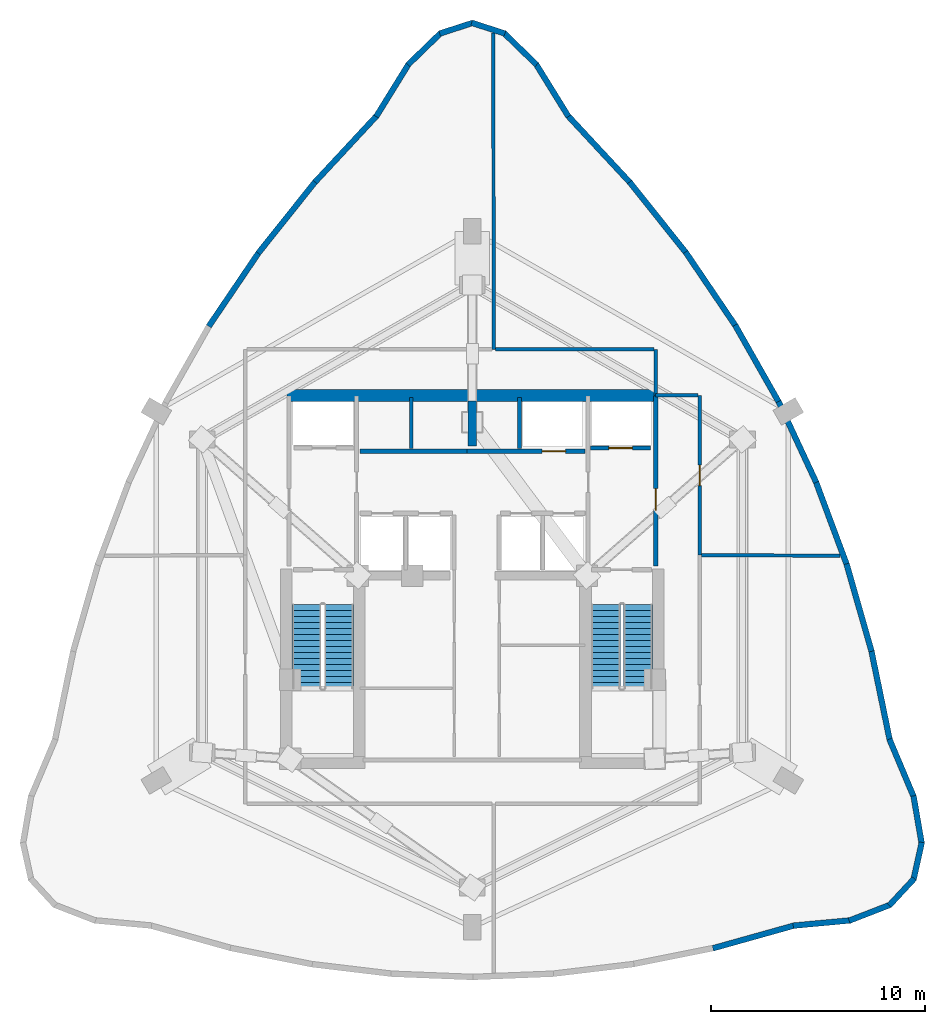
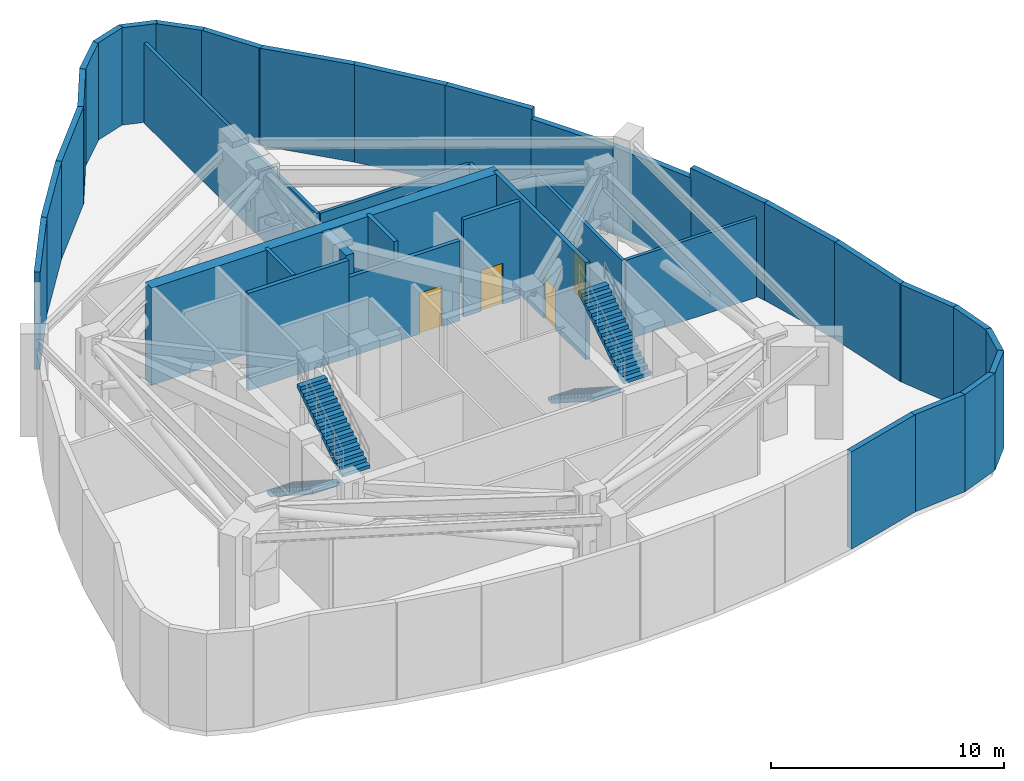
# One storey, part 4 of 5: 38 walls, 4 doors, 4 stair flights, 4 openings, 2 elements without a shape of their own.
"""IFC4 building model written with IfcOpenShell, lengths in metres."""

from ifc_helpers import new_model, si_unit, direction, frame, frame_2d, origin, place, context, subcontext, project, spatial, polyline, rectangle, outline, extrude, material, layer, layer_set, type_object, element, fill, aggregate, save


model = new_model("IFC4")

# Units and contexts
model_context = context("Model", 3, precision=1e-05, world=origin(), true_north=direction((0.0, 1.0)))
body_context = subcontext(model_context, "Body", "Model", "MODEL_VIEW")
ifc_project = project(units=[si_unit("LENGTHUNIT", "METRE"), si_unit("AREAUNIT", "SQUARE_METRE"), si_unit("VOLUMEUNIT", "CUBIC_METRE"), si_unit("PLANEANGLEUNIT", "RADIAN"), si_unit("MASSUNIT", "GRAM", prefix="KILO")], contexts=[model_context])

# Site, building, storey
site_placement = place(None, origin())
site = spatial("IfcSite", under=ifc_project, at=site_placement, CompositionType="ELEMENT")
building_placement = place(site_placement, origin())
building = spatial("IfcBuilding", under=site, at=building_placement, Name="Miruveldt Soraemaru", CompositionType="ELEMENT")
storey_placement = place(building_placement, frame((0.0, 0.0, 184.39990234375)))
storey = spatial("IfcBuildingStorey", under=building, at=storey_placement, Name="L51", CompositionType="ELEMENT", Elevation=184.39990234375)

# Walls
ifc_material_1 = material(Name="Concrete C70/85 (70 MPa)", Category="concrete")
ifc_layer_1 = layer(ifc_material_1, 0.5, Name="Concrete C70/85 (70 MPa)", Category="concrete")
ifc_layer_set_1 = layer_set([ifc_layer_1], Name="Concrete C70/85 (70 MPa)")
wall_type_1 = type_object("IfcWallType", Name="WALL-BW-500", PredefinedType="SHEAR", material=ifc_layer_set_1)
wall_1_placement = place(storey_placement, frame((44.0, 50.10009765625, 0.0), z_axis=(0.0, 0.0, 1.0), x_axis=(0.0, 1.0, 0.0)))
element("IfcWall", 1, at=wall_1_placement, inside=storey, type_object=wall_type_1, Name="L51 Core Buttress Shear Wall BN", PredefinedType="SHEAR", context=body_context, shape_type="SweptSolid", body=[
    extrude(rectangle(XDim=2.099853515625, YDim=0.39990234375, at=frame_2d((1.0498046875, 0.0))), origin(), (0.0, 0.0, 1.0), 5.10009765625),
])
ifc_layer_2 = layer(ifc_material_1, 0.550048828125, Name="Concrete C70/85 (70 MPa)", Category="concrete")
ifc_layer_set_2 = layer_set([ifc_layer_2], Name="Concrete C70/85 (70 MPa)")
wall_type_2 = type_object("IfcWallType", Name="WALL-CW-550", PredefinedType="SHEAR", material=ifc_layer_set_2)
wall_2_placement = place(storey_placement, frame((35.35009765625, 52.449951171875, 0.0), z_axis=(0.0, 0.0, 1.0), x_axis=(1.0, 0.0, 0.0)))
element("IfcWall", 2, at=wall_2_placement, inside=storey, type_object=wall_type_2, Name="L51 Central Core Shear Wall N", PredefinedType="SHEAR", context=body_context, shape_type="SweptSolid", body=[
    extrude(rectangle(XDim=17.2998046875, YDim=0.550048828125, at=frame_2d((8.64990234375, 0.0))), origin(), (0.0, 0.0, 1.0), 5.10009765625),
])
ifc_material_2 = material(Name="Precast concrete C45/55 (45 MPa)", Category="concrete")
ifc_layer_3 = layer(ifc_material_2, 0.27001953125, Name="Precast concrete C45/55 (45 MPa)", Category="concrete")
ifc_layer_set_3 = layer_set([ifc_layer_3], Name="Precast concrete C45/55 (45 MPa)")
wall_type_3 = type_object("IfcWallType", Name="WALL-EXT-PC270", PredefinedType="SOLIDWALL", material=ifc_layer_set_3)
wall_3_placement = place(storey_placement, frame((48.48486328125, 65.4609375, 0.0), z_axis=(0.0, 0.0, 1.0), x_axis=(-0.526073462403, 0.850439129012, 0.0)))
element("IfcWall", 3, at=wall_3_placement, inside=storey, type_object=wall_type_3, Name="L51 Precast Concrete Facade Wall 1", PredefinedType="SOLIDWALL", context=body_context, shape_type="SweptSolid", body=[
    extrude(rectangle(XDim=2.900146484375, YDim=0.27001953125, at=frame_2d((1.4501953125, 0.0))), origin(), (0.0, 0.0, 1.0), 5.10009765625),
])
wall_4_placement = place(storey_placement, frame((47.002685546875, 67.873046875, 0.0), z_axis=(0.0, 0.0, 1.0), x_axis=(-0.717784851278, 0.696264969157, 0.0)))
element("IfcWall", 4, at=wall_4_placement, inside=storey, type_object=wall_type_3, Name="L51 Precast Concrete Facade Wall 2", PredefinedType="SOLIDWALL", context=body_context, shape_type="SweptSolid", body=[
    extrude(rectangle(XDim=2.144287109375, YDim=0.27001953125, at=frame_2d((1.072265625, 0.0))), origin(), (0.0, 0.0, 1.0), 5.10009765625),
])
for number, where, z_axis, x_axis, name in (
    (5, (45.522216796875, 69.330810546875, 0.0), (0.0, 0.0, 1.0), (-0.951497250106, 0.307657249289, 0.0), "L51 Precast Concrete Facade Wall 3"),
    (6, (44.033203125, 69.833740234375, 0.0), (0.0, 0.0, 1.0), (-0.951497250106, -0.307657249289, 0.0), "L51 Precast Concrete Facade Wall 4"),
):
    element("IfcWall", number, at=place(storey_placement, frame(where, z_axis=z_axis, x_axis=x_axis)), inside=storey, type_object=wall_type_3, Name=name, PredefinedType="SOLIDWALL", context=body_context, shape_type="SweptSolid", body=[
        extrude(rectangle(XDim=1.634765625, YDim=0.27001953125, at=frame_2d((0.8173828125, 0.0))), origin(), (0.0, 0.0, 1.0), 5.10009765625),
    ])
wall_5_placement = place(storey_placement, frame((42.536376953125, 69.365966796875, 0.0), z_axis=(0.0, 0.0, 1.0), x_axis=(-0.717784851278, -0.696264969157, 0.0)))
element("IfcWall", 7, at=wall_5_placement, inside=storey, type_object=wall_type_3, Name="L51 Precast Concrete Facade Wall 5", PredefinedType="SOLIDWALL", context=body_context, shape_type="SweptSolid", body=[
    extrude(rectangle(XDim=2.144287109375, YDim=0.27001953125, at=frame_2d((1.072265625, 0.0))), origin(), (0.0, 0.0, 1.0), 5.10009765625),
])
wall_6_placement = place(storey_placement, frame((41.040771484375, 67.92724609375, 0.0), z_axis=(0.0, 0.0, 1.0), x_axis=(-0.526073462403, -0.850439129012, 0.0)))
element("IfcWall", 8, at=wall_6_placement, inside=storey, type_object=wall_type_3, Name="L51 Precast Concrete Facade Wall 6", PredefinedType="SOLIDWALL", context=body_context, shape_type="SweptSolid", body=[
    extrude(rectangle(XDim=2.900146484375, YDim=0.27001953125, at=frame_2d((1.4501953125, 0.0))), origin(), (0.0, 0.0, 1.0), 5.10009765625),
])
wall_7_placement = place(storey_placement, frame((39.557373046875, 65.516357421875, 0.0), z_axis=(0.0, 0.0, 1.0), x_axis=(-0.68089748503, -0.732378737321, 0.0)))
element("IfcWall", 9, at=wall_7_placement, inside=storey, type_object=wall_type_3, Name="L51 Precast Concrete Facade Wall 7", PredefinedType="SOLIDWALL", context=body_context, shape_type="SweptSolid", body=[
    extrude(rectangle(XDim=4.3203125, YDim=0.27001953125, at=frame_2d((2.16015625, 0.0))), origin(), (0.0, 0.0, 1.0), 5.10009765625),
])
wall_8_placement = place(storey_placement, frame((36.661376953125, 62.4052734375, 0.0), z_axis=(0.0, 0.0, 1.0), x_axis=(-0.623600005041, -0.781743585655, 0.0)))
element("IfcWall", 10, at=wall_8_placement, inside=storey, type_object=wall_type_3, Name="L51 Precast Concrete Facade Wall 8", PredefinedType="SOLIDWALL", context=body_context, shape_type="SweptSolid", body=[
    extrude(rectangle(XDim=4.243896484375, YDim=0.27001953125, at=frame_2d((2.1220703125, 0.0))), origin(), (0.0, 0.0, 1.0), 5.10009765625),
])
wall_9_placement = place(storey_placement, frame((34.056396484375, 59.14404296875, 0.0), z_axis=(0.0, 0.0, 1.0), x_axis=(-0.560853295684, -0.827915201406, 0.0)))
element("IfcWall", 11, at=wall_9_placement, inside=storey, type_object=wall_type_3, Name="L51 Precast Concrete Facade Wall 9", PredefinedType="SOLIDWALL", context=body_context, shape_type="SweptSolid", body=[
    extrude(rectangle(XDim=4.1923828125, YDim=0.27001953125, at=frame_2d((2.09619140625, 0.0))), origin(), (0.0, 0.0, 1.0), 5.10009765625),
])
wall_10_placement = place(storey_placement, frame((55.218505859375, 26.662841796875, 0.0), z_axis=(0.0, 0.0, 1.0), x_axis=(0.962978726961, 0.26957739412, 0.0)))
element("IfcWall", 12, at=wall_10_placement, inside=storey, type_object=wall_type_3, Name="L51 Precast Concrete Facade Wall 28", PredefinedType="SOLIDWALL", context=body_context, shape_type="SweptSolid", body=[
    extrude(rectangle(XDim=3.96484375, YDim=0.27001953125, at=frame_2d((1.982421875, 0.0))), origin(), (0.0, 0.0, 1.0), 5.10009765625),
])
wall_11_placement = place(storey_placement, frame((58.968017578125, 27.71923828125, 0.0), z_axis=(0.0, 0.0, 1.0), x_axis=(0.995762583404, 0.09196128257, 0.0)))
element("IfcWall", 13, at=wall_11_placement, inside=storey, type_object=wall_type_3, Name="L51 Precast Concrete Facade Wall 29", PredefinedType="SOLIDWALL", context=body_context, shape_type="SweptSolid", body=[
    extrude(rectangle(XDim=2.686767578125, YDim=0.27001953125, at=frame_2d((1.34326171875, 0.0))), origin(), (0.0, 0.0, 1.0), 5.10009765625),
])
wall_12_placement = place(storey_placement, frame((61.57568359375, 27.950439453125, 0.0), z_axis=(0.0, 0.0, 1.0), x_axis=(0.93229707956, 0.361693455074, 0.0)))
element("IfcWall", 14, at=wall_12_placement, inside=storey, type_object=wall_type_3, Name="L51 Precast Concrete Facade Wall 30", PredefinedType="SOLIDWALL", context=body_context, shape_type="SweptSolid", body=[
    extrude(rectangle(XDim=2.066162109375, YDim=0.27001953125, at=frame_2d((1.033203125, 0.0))), origin(), (0.0, 0.0, 1.0), 5.10009765625),
])
wall_13_placement = place(storey_placement, frame((63.445556640625, 28.659423828125, 0.0), z_axis=(0.0, 0.0, 1.0), x_axis=(0.680078990902, 0.733138845058, 0.0)))
element("IfcWall", 15, at=wall_13_placement, inside=storey, type_object=wall_type_3, Name="L51 Precast Concrete Facade Wall 31", PredefinedType="SOLIDWALL", context=body_context, shape_type="SweptSolid", body=[
    extrude(rectangle(XDim=1.711669921875, YDim=0.27001953125, at=frame_2d((0.85595703125, 0.0))), origin(), (0.0, 0.0, 1.0), 5.10009765625),
])
wall_14_placement = place(storey_placement, frame((64.578125, 29.854248046875, 0.0), z_axis=(0.0, 0.0, 1.0), x_axis=(0.215792916571, 0.976439151795, 0.0)))
element("IfcWall", 16, at=wall_14_placement, inside=storey, type_object=wall_type_3, Name="L51 Precast Concrete Facade Wall 32", PredefinedType="SOLIDWALL", context=body_context, shape_type="SweptSolid", body=[
    extrude(rectangle(XDim=1.79541015625, YDim=0.27001953125, at=frame_2d((0.897705078125, 0.0))), origin(), (0.0, 0.0, 1.0), 5.10009765625),
])
wall_15_placement = place(storey_placement, frame((64.9638671875, 31.538818359375, 0.0), z_axis=(0.0, 0.0, 1.0), x_axis=(-0.169355267958, 0.985555068586, 0.0)))
element("IfcWall", 17, at=wall_15_placement, inside=storey, type_object=wall_type_3, Name="L51 Precast Concrete Facade Wall 33", PredefinedType="SOLIDWALL", context=body_context, shape_type="SweptSolid", body=[
    extrude(rectangle(XDim=2.267578125, YDim=0.27001953125, at=frame_2d((1.1337890625, 0.0))), origin(), (0.0, 0.0, 1.0), 5.10009765625),
])
wall_16_placement = place(storey_placement, frame((64.599365234375, 33.70703125, 0.0), z_axis=(0.0, 0.0, 1.0), x_axis=(-0.388546458819, 0.921429134193, 0.0)))
element("IfcWall", 18, at=wall_16_placement, inside=storey, type_object=wall_type_3, Name="L51 Precast Concrete Facade Wall 34", PredefinedType="SOLIDWALL", context=body_context, shape_type="SweptSolid", body=[
    extrude(rectangle(XDim=2.943115234375, YDim=0.27001953125, at=frame_2d((1.4716796875, 0.0))), origin(), (0.0, 0.0, 1.0), 5.10009765625),
])
wall_17_placement = place(storey_placement, frame((63.476318359375, 36.3525390625, 0.0), z_axis=(0.0, 0.0, 1.0), x_axis=(-0.201568414005, 0.979474437888, 0.0)))
element("IfcWall", 19, at=wall_17_placement, inside=storey, type_object=wall_type_3, Name="L51 Precast Concrete Facade Wall 35", PredefinedType="SOLIDWALL", context=body_context, shape_type="SweptSolid", body=[
    extrude(rectangle(XDim=4.3203125, YDim=0.27001953125, at=frame_2d((2.16015625, 0.0))), origin(), (0.0, 0.0, 1.0), 5.10009765625),
])
wall_18_placement = place(storey_placement, frame((62.6220703125, 40.51611328125, 0.0), z_axis=(0.0, 0.0, 1.0), x_axis=(-0.274964238992, 0.961454454083, 0.0)))
element("IfcWall", 20, at=wall_18_placement, inside=storey, type_object=wall_type_3, Name="L51 Precast Concrete Facade Wall 36", PredefinedType="SOLIDWALL", context=body_context, shape_type="SweptSolid", body=[
    extrude(rectangle(XDim=4.244140625, YDim=0.27001953125, at=frame_2d((2.1220703125, 0.0))), origin(), (0.0, 0.0, 1.0), 5.10009765625),
])
wall_19_placement = place(storey_placement, frame((61.47705078125, 44.5302734375, 0.0), z_axis=(0.0, 0.0, 1.0), x_axis=(-0.349022784807, 0.937114238333, 0.0)))
element("IfcWall", 21, at=wall_19_placement, inside=storey, type_object=wall_type_3, Name="L51 Precast Concrete Facade Wall 37", PredefinedType="SOLIDWALL", context=body_context, shape_type="SweptSolid", body=[
    extrude(rectangle(XDim=4.192138671875, YDim=0.27001953125, at=frame_2d((2.09619140625, 0.0))), origin(), (0.0, 0.0, 1.0), 5.10009765625),
])
wall_20_placement = place(storey_placement, frame((60.040771484375, 48.394287109375, 0.0), z_axis=(0.0, 0.0, 1.0), x_axis=(-0.422336806268, 0.906438978681, 0.0)))
element("IfcWall", 22, at=wall_20_placement, inside=storey, type_object=wall_type_3, Name="L51 Precast Concrete Facade Wall 38", PredefinedType="SOLIDWALL", context=body_context, shape_type="SweptSolid", body=[
    extrude(rectangle(XDim=4.166259765625, YDim=0.27001953125, at=frame_2d((2.0830078125, 0.0))), origin(), (0.0, 0.0, 1.0), 4.588134765625),
])
wall_21_placement = place(storey_placement, frame((58.3134765625, 52.108642578125, 0.0), z_axis=(0.0, 0.0, 1.0), x_axis=(-0.49336591454, 0.869821863585, 0.0)))
element("IfcWall", 23, at=wall_21_placement, inside=storey, type_object=wall_type_3, Name="L51 Precast Concrete Facade Wall 39", PredefinedType="SOLIDWALL", context=body_context, shape_type="SweptSolid", body=[
    extrude(rectangle(XDim=4.166015625, YDim=0.27001953125, at=frame_2d((2.0830078125, 0.0))), origin(), (0.0, 0.0, 1.0), 4.588134765625),
])
wall_22_placement = place(storey_placement, frame((56.294921875, 55.673095703125, 0.0), z_axis=(0.0, 0.0, 1.0), x_axis=(-0.560853295684, 0.827915201406, 0.0)))
element("IfcWall", 24, at=wall_22_placement, inside=storey, type_object=wall_type_3, Name="L51 Precast Concrete Facade Wall 40", PredefinedType="SOLIDWALL", context=body_context, shape_type="SweptSolid", body=[
    extrude(rectangle(XDim=4.1923828125, YDim=0.27001953125, at=frame_2d((2.09619140625, 0.0))), origin(), (0.0, 0.0, 1.0), 5.10009765625),
])
wall_23_placement = place(storey_placement, frame((53.985107421875, 59.087646484375, 0.0), z_axis=(0.0, 0.0, 1.0), x_axis=(-0.623600005041, 0.781743585655, 0.0)))
element("IfcWall", 25, at=wall_23_placement, inside=storey, type_object=wall_type_3, Name="L51 Precast Concrete Facade Wall 41", PredefinedType="SOLIDWALL", context=body_context, shape_type="SweptSolid", body=[
    extrude(rectangle(XDim=4.243896484375, YDim=0.27001953125, at=frame_2d((2.1220703125, 0.0))), origin(), (0.0, 0.0, 1.0), 5.10009765625),
])
wall_24_placement = place(storey_placement, frame((51.38427734375, 62.352294921875, 0.0), z_axis=(0.0, 0.0, 1.0), x_axis=(-0.68089748503, 0.732378737321, 0.0)))
element("IfcWall", 26, at=wall_24_placement, inside=storey, type_object=wall_type_3, Name="L51 Precast Concrete Facade Wall 42", PredefinedType="SOLIDWALL", context=body_context, shape_type="SweptSolid", body=[
    extrude(rectangle(XDim=4.3203125, YDim=0.27001953125, at=frame_2d((2.16015625, 0.0))), origin(), (0.0, 0.0, 1.0), 5.10009765625),
])

# Wall, opening, door
ifc_material_3 = material(Name="Concrete C40/50 (40 MPa)", Category="concrete")
ifc_layer_4 = layer(ifc_material_3, 0.159912109375, Name="Concrete C40/50 (40 MPa)", Category="concrete")
ifc_layer_set_4 = layer_set([ifc_layer_4], Name="Concrete C40/50 (40 MPa)")
wall_type_4 = type_object("IfcWallType", Name="WALL-INT-RC160", PredefinedType="SOLIDWALL", material=ifc_layer_set_4)
wall_25_placement = place(storey_placement, frame((54.60009765625, 45.0, 0.0), z_axis=(0.0, 0.0, 1.0), x_axis=(0.0, 1.0, 0.0)))
wall_25 = element("IfcWall", 27, at=wall_25_placement, inside=storey, type_object=wall_type_4, Name="L51 Partition Wall 7", PredefinedType="SOLIDWALL", context=body_context, shape_type="SweptSolid", body=[
    extrude(rectangle(XDim=7.449951171875, YDim=0.159912109375, at=frame_2d((3.72509765625, 0.0))), origin(), (0.0, 0.0, 1.0), 4.18798828125),
])
opening_1_placement = place(wall_25_placement, frame((3.25, 0.0, 0.0)))
opening_1 = element("IfcOpeningElement", 28, at=opening_1_placement, cuts=wall_25, Name="Opening FD2", PredefinedType="OPENING", context=body_context, shape_type="SweptSolid", body=[
    extrude(rectangle(XDim=0.949951171875, YDim=2.14990234375, at=frame_2d((0.47509765625, 1.074951171875))), frame((0.0, 0.08984375, 0.0), z_axis=(0.0, -1.0, 0.0), x_axis=(1.0, 0.0, 0.0)), (0.0, 0.0, 1.0), 0.179931640625),
])
ifc_material_4 = material(Name="Anodised aluminium EN AW-6063 T6", Category="aluminium")
door_type_1 = type_object("IfcDoorType", Name="DOOR-FD2-950", OperationType="NOTDEFINED", PredefinedType="DOOR", material=ifc_material_4)
door_1_placement = place(opening_1_placement, origin())
door_1 = element("IfcDoor", 29, at=door_1_placement, inside=storey, type_object=door_type_1, Name="L51 Electrical Switchgear and Pump Plant Room Fire Door", OperationType="SINGLE_SWING_LEFT", OverallHeight=2.14990234375, OverallWidth=0.949951171875, PredefinedType="DOOR", context=body_context, shape_type="SweptSolid", body=[
    extrude(rectangle(XDim=0.949951171875, YDim=2.14990234375, at=frame_2d((0.47509765625, 1.074951171875))), frame((0.0, 0.02490234375, 0.0), z_axis=(0.0, -1.0, 0.0), x_axis=(1.0, 0.0, 0.0)), (0.0, 0.0, 1.0), 0.050048828125),
])
fill(opening_1, door_1)

# Walls
wall_26_placement = place(storey_placement, frame((45.0, 54.60009765625, 0.0), z_axis=(0.0, 0.0, 1.0), x_axis=(-0.001489768591, 0.999998890294, 0.0)))
element("IfcWall", 30, at=wall_26_placement, inside=storey, type_object=wall_type_4, Name="L51 Partition Wall 14", PredefinedType="SOLIDWALL", context=body_context, shape_type="SweptSolid", body=[
    extrude(rectangle(XDim=14.7490234375, YDim=0.159912109375, at=frame_2d((7.37451171875, 0.0))), origin(), (0.0, 0.0, 1.0), 4.18798828125),
])
wall_27_placement = place(storey_placement, frame((52.469970703125, 54.60009765625, 0.0), z_axis=(0.0, 0.0, 1.0), x_axis=(-1.0, 0.0, 0.0)))
element("IfcWall", 31, at=wall_27_placement, inside=storey, type_object=wall_type_4, Name="L51 Partition Wall 10", PredefinedType="SOLIDWALL", context=body_context, shape_type="SweptSolid", body=[
    extrude(rectangle(XDim=7.389892578125, YDim=0.159912109375, at=frame_2d((3.69482421875, 0.0))), origin(), (0.0, 0.0, 1.0), 4.18798828125),
])
wall_28_placement = place(storey_placement, frame((61.15087890625, 44.97509765625, 0.0), z_axis=(0.0, 0.0, 1.0), x_axis=(-0.999992595258, 0.003848302008, 0.0)))
element("IfcWall", 32, at=wall_28_placement, inside=storey, type_object=wall_type_4, Name="L51 Partition Wall 13", PredefinedType="SOLIDWALL", context=body_context, shape_type="SweptSolid", body=[
    extrude(rectangle(XDim=6.470947265625, YDim=0.159912109375, at=frame_2d((3.2353515625, 0.0))), origin(), (0.0, 0.0, 1.0), 4.18798828125),
])
wall_29_placement = place(storey_placement, frame((41.14990234375, 49.97998046875, 0.0), z_axis=(0.0, 0.0, 1.0), x_axis=(0.0, 1.0, 0.0)))
element("IfcWall", 33, at=wall_29_placement, inside=storey, type_object=wall_type_4, Name="L51 Core Compartment Wall PLH-DIV1", PredefinedType="SOLIDWALL", context=body_context, shape_type="SweptSolid", body=[
    extrude(rectangle(XDim=2.3701171875, YDim=0.159912109375, at=frame_2d((1.18505859375, 0.0))), origin(), (0.0, 0.0, 1.0), 5.10009765625),
])
wall_30_placement = place(storey_placement, frame((52.550048828125, 52.449951171875, 0.0), z_axis=(0.0, 0.0, 1.0), x_axis=(0.0, 1.0, 0.0)))
element("IfcWall", 34, at=wall_30_placement, inside=storey, type_object=wall_type_4, Name="L51 Partition Wall 9", PredefinedType="SOLIDWALL", context=body_context, shape_type="SweptSolid", body=[
    extrude(rectangle(XDim=2.150146484375, YDim=0.159912109375, at=frame_2d((1.0751953125, 0.0))), origin(), (0.0, 0.0, 1.0), 4.18798828125),
])
wall_31_placement = place(storey_placement, frame((54.52001953125, 52.449951171875, 0.0), z_axis=(0.0, 0.0, 1.0), x_axis=(-1.0, 0.0, 0.0)))
element("IfcWall", 35, at=wall_31_placement, inside=storey, type_object=wall_type_4, Name="L51 Partition Wall 8", PredefinedType="SOLIDWALL", context=body_context, shape_type="SweptSolid", body=[
    extrude(rectangle(XDim=1.969970703125, YDim=0.159912109375, at=frame_2d((0.98486328125, 0.0))), origin(), (0.0, 0.0, 1.0), 4.18798828125),
])

# Wall, opening, door
ifc_layer_5 = layer(ifc_material_3, 0.199951171875, Name="Concrete C40/50 (40 MPa)", Category="concrete")
ifc_layer_set_5 = layer_set([ifc_layer_5], Name="Concrete C40/50 (40 MPa)")
wall_type_5 = type_object("IfcWallType", Name="WALL-INT-RC200", PredefinedType="SOLIDWALL", material=ifc_layer_set_5)
wall_32_placement = place(storey_placement, frame((52.550048828125, 44.5, 0.0), z_axis=(0.0, 0.0, 1.0), x_axis=(0.0, 1.0, 0.0)))
wall_32 = element("IfcWall", 36, at=wall_32_placement, inside=storey, type_object=wall_type_5, Name="L51 Core Compartment Wall FFE-OUT", PredefinedType="SOLIDWALL", context=body_context, shape_type="SweptSolid", body=[
    extrude(rectangle(XDim=7.919921875, YDim=0.199951171875, at=frame_2d((3.9599609375, 0.0))), origin(), (0.0, 0.0, 1.0), 5.10009765625),
])
opening_2_placement = place(wall_32_placement, frame((2.60009765625, 0.0, 0.0)))
opening_2 = element("IfcOpeningElement", 37, at=opening_2_placement, cuts=wall_32, Name="Opening FD1", PredefinedType="OPENING", context=body_context, shape_type="SweptSolid", body=[
    extrude(rectangle(XDim=1.0, YDim=2.14990234375, at=frame_2d((0.5, 1.074951171875))), frame((0.0, 0.10986328125, 0.0), z_axis=(0.0, -1.0, 0.0), x_axis=(1.0, 0.0, 0.0)), (0.0, 0.0, 1.0), 0.219970703125),
])
door_type_2 = type_object("IfcDoorType", Name="DOOR-FD1-1000", OperationType="NOTDEFINED", PredefinedType="DOOR", material=ifc_material_4)
door_2_placement = place(opening_2_placement, frame((1.0, 0.0, 0.0), z_axis=(0.0, 0.0, 1.0), x_axis=(-1.0, 0.0, 0.0)))
door_2 = element("IfcDoor", 38, at=door_2_placement, inside=storey, type_object=door_type_2, Name="L51 East Firefighting Lobby Exit Door", OperationType="SINGLE_SWING_RIGHT", OverallHeight=2.14990234375, OverallWidth=1.0, PredefinedType="DOOR", context=body_context, shape_type="SweptSolid", body=[
    extrude(rectangle(XDim=1.0, YDim=2.14990234375, at=frame_2d((0.5, 1.074951171875))), frame((0.0, 0.02490234375, 0.0), z_axis=(0.0, -1.0, 0.0), x_axis=(1.0, 0.0, 0.0)), (0.0, 0.0, 1.0), 0.050048828125),
])
fill(opening_2, door_2)

wall_33_placement = place(storey_placement, frame((43.75, 49.85009765625, 0.0), z_axis=(0.0, 0.0, 1.0), x_axis=(1.0, 0.0, 0.0)))
wall_33 = element("IfcWall", 39, at=wall_33_placement, inside=storey, type_object=wall_type_5, Name="L51 Core Compartment Wall ROWA-SE", PredefinedType="SOLIDWALL", context=body_context, shape_type="SweptSolid", body=[
    extrude(rectangle(XDim=5.5, YDim=0.199951171875, at=frame_2d((2.75, 0.0))), origin(), (0.0, 0.0, 1.0), 4.18798828125),
])
opening_3_placement = place(wall_33_placement, frame((3.5, 0.0, 0.0)))
opening_3 = element("IfcOpeningElement", 40, at=opening_3_placement, cuts=wall_33, Name="Opening LD2", PredefinedType="OPENING", context=body_context, shape_type="SweptSolid", body=[
    extrude(rectangle(XDim=1.10009765625, YDim=2.14990234375, at=frame_2d((0.550048828125, 1.074951171875))), frame((0.0, 0.10986328125, 0.0), z_axis=(0.0, -1.0, 0.0), x_axis=(1.0, 0.0, 0.0)), (0.0, 0.0, 1.0), 0.219970703125),
])
door_type_3 = type_object("IfcDoorType", Name="DOOR-LD2-1100", OperationType="SLIDING_TO_LEFT", PredefinedType="DOOR", material=ifc_material_4)
door_3_placement = place(opening_3_placement, origin())
door_3 = element("IfcDoor", 41, at=door_3_placement, inside=storey, type_object=door_type_3, Name="L51 SL-1 Landing Door", OperationType="SLIDING_TO_LEFT", OverallHeight=2.14990234375, OverallWidth=1.10009765625, PredefinedType="DOOR", context=body_context, shape_type="SweptSolid", body=[
    extrude(rectangle(XDim=1.10009765625, YDim=2.14990234375, at=frame_2d((0.550048828125, 1.074951171875))), frame((0.0, 0.02490234375, 0.0), z_axis=(0.0, -1.0, 0.0), x_axis=(1.0, 0.0, 0.0)), (0.0, 0.0, 1.0), 0.050048828125),
])
fill(opening_3, door_3)

wall_34_placement = place(storey_placement, frame((49.52001953125, 50.0, 0.0), z_axis=(0.0, 0.0, 1.0), x_axis=(1.0, 0.0, 0.0)))
wall_34 = element("IfcWall", 42, at=wall_34_placement, inside=storey, type_object=wall_type_5, Name="L51 Core Compartment Wall FFL2-S", PredefinedType="SOLIDWALL", context=body_context, shape_type="SweptSolid", body=[
    extrude(rectangle(XDim=2.800048828125, YDim=0.199951171875, at=frame_2d((1.39990234375, 0.0))), origin(), (0.0, 0.0, 1.0), 5.10009765625),
])
opening_4_placement = place(wall_34_placement, frame((0.85009765625, 0.0, 0.0)))
opening_4 = element("IfcOpeningElement", 43, at=opening_4_placement, cuts=wall_34, Name="Opening LD2", PredefinedType="OPENING", context=body_context, shape_type="SweptSolid", body=[
    extrude(rectangle(XDim=1.10009765625, YDim=2.14990234375, at=frame_2d((0.550048828125, 1.074951171875))), frame((0.0, 0.10986328125, 0.0), z_axis=(0.0, -1.0, 0.0), x_axis=(1.0, 0.0, 0.0)), (0.0, 0.0, 1.0), 0.219970703125),
])
door_4_placement = place(opening_4_placement, origin())
door_4 = element("IfcDoor", 44, at=door_4_placement, inside=storey, type_object=door_type_3, Name="L51 FFL-2 Landing Door", OperationType="SLIDING_TO_LEFT", OverallHeight=2.14990234375, OverallWidth=1.10009765625, PredefinedType="DOOR", context=body_context, shape_type="SweptSolid", body=[
    extrude(rectangle(XDim=1.10009765625, YDim=2.14990234375, at=frame_2d((0.550048828125, 1.074951171875))), frame((0.0, 0.02490234375, 0.0), z_axis=(0.0, -1.0, 0.0), x_axis=(1.0, 0.0, 0.0)), (0.0, 0.0, 1.0), 0.050048828125),
])
fill(opening_4, door_4)

# Walls
wall_35_placement = place(storey_placement, frame((38.75, 49.85009765625, 0.0), z_axis=(0.0, 0.0, 1.0), x_axis=(1.0, 0.0, 0.0)))
element("IfcWall", 45, at=wall_35_placement, inside=storey, type_object=wall_type_5, Name="L51 Core Compartment Wall ROWA-SW", PredefinedType="SOLIDWALL", context=body_context, shape_type="SweptSolid", body=[
    extrude(rectangle(XDim=5.0, YDim=0.199951171875, at=frame_2d((2.5, 0.0))), origin(), (0.0, 0.0, 1.0), 5.10009765625),
])
wall_36_placement = place(storey_placement, frame((46.199951171875, 49.97998046875, 0.0), z_axis=(0.0, 0.0, 1.0), x_axis=(0.0, 1.0, 0.0)))
element("IfcWall", 46, at=wall_36_placement, inside=storey, type_object=wall_type_5, Name="L51 Core Compartment Wall PLH-SL-DIV", PredefinedType="SOLIDWALL", context=body_context, shape_type="SweptSolid", body=[
    extrude(rectangle(XDim=2.3701171875, YDim=0.199951171875, at=frame_2d((1.18505859375, 0.0))), origin(), (0.0, 0.0, 1.0), 5.10009765625),
])

# Stair, stair flights
stair_type = type_object("IfcStairType", Name="STAIR-DL-540", PredefinedType="HALF_TURN_STAIR", material=ifc_material_3)
stair_1_placement = place(storey_placement, origin())
stair_1 = element("IfcStair", 47, at=stair_1_placement, inside=storey, type_object=stair_type, Name="L51 Protected Exit Stair ST-1", PredefinedType="HALF_TURN_STAIR")
stair_flight_type = type_object("IfcStairFlightType", Name="SFL-DL-540", PredefinedType="STRAIGHT", material=ifc_material_3)
stair_flight_1_placement = place(storey_placement, frame((36.27490234375, 42.699951171875, 0.0), z_axis=(0.0, 0.0, 1.0), x_axis=(0.0, -1.0, 0.0)))
stair_flight_1 = element("IfcStairFlight", 48, at=stair_flight_1_placement, type_object=stair_flight_type, Name="ST-1 flight 1", NumberOfRisers=15, NumberOfTreads=14, PredefinedType="STRAIGHT", RiserHeight=0.18, TreadLength=0.28, context=body_context, shape_type="SweptSolid", body=[
    extrude(outline(polyline([(0.0, 0.0), (0.0, 0.179931640625), (0.280029296875, 0.179931640625), (0.280029296875, 0.360107421875), (0.56005859375, 0.360107421875), (0.56005859375, 0.5400390625), (0.840087890625, 0.5400390625), (0.840087890625, 0.719970703125), (1.1201171875, 0.719970703125), (1.1201171875, 0.89990234375), (1.39990234375, 0.89990234375), (1.39990234375, 1.080078125), (1.679931640625, 1.080078125), (1.679931640625, 1.260009765625), (1.9599609375, 1.260009765625), (1.9599609375, 1.43994140625), (2.239990234375, 1.43994140625), (2.239990234375, 1.6201171875), (2.52001953125, 1.6201171875), (2.52001953125, 1.800048828125), (2.800048828125, 1.800048828125), (2.800048828125, 1.97998046875), (3.080078125, 1.97998046875), (3.080078125, 2.159912109375), (3.360107421875, 2.159912109375), (3.360107421875, 2.340087890625), (3.639892578125, 2.340087890625), (3.639892578125, 2.52001953125), (3.919921875, 2.52001953125), (3.919921875, 2.699951171875), (3.919921875, 2.329833984375), (0.295654296875, 0.0), (0.0, 0.0)])), frame((0.0, 0.675048828125, 0.0), z_axis=(0.0, -1.0, 0.0), x_axis=(1.0, 0.0, 0.0)), (0.0, 0.0, 1.0), 1.35009765625),
])
stair_flight_2_placement = place(storey_placement, frame((37.77490234375, 38.780029296875, 2.7001953125), z_axis=(0.0, 0.0, 1.0), x_axis=(0.0, 1.0, 0.0)))
stair_flight_2 = element("IfcStairFlight", 49, at=stair_flight_2_placement, type_object=stair_flight_type, Name="ST-1 flight 2", NumberOfRisers=15, NumberOfTreads=14, PredefinedType="STRAIGHT", RiserHeight=0.18, TreadLength=0.28, context=body_context, shape_type="SweptSolid", body=[
    extrude(outline(polyline([(0.0, 0.0), (0.0, 0.179931640625), (0.280029296875, 0.179931640625), (0.280029296875, 0.360107421875), (0.56005859375, 0.360107421875), (0.56005859375, 0.5400390625), (0.840087890625, 0.5400390625), (0.840087890625, 0.719970703125), (1.1201171875, 0.719970703125), (1.1201171875, 0.89990234375), (1.39990234375, 0.89990234375), (1.39990234375, 1.080078125), (1.679931640625, 1.080078125), (1.679931640625, 1.260009765625), (1.9599609375, 1.260009765625), (1.9599609375, 1.43994140625), (2.239990234375, 1.43994140625), (2.239990234375, 1.6201171875), (2.52001953125, 1.6201171875), (2.52001953125, 1.800048828125), (2.800048828125, 1.800048828125), (2.800048828125, 1.97998046875), (3.080078125, 1.97998046875), (3.080078125, 2.159912109375), (3.360107421875, 2.159912109375), (3.360107421875, 2.340087890625), (3.639892578125, 2.340087890625), (3.639892578125, 2.52001953125), (3.919921875, 2.52001953125), (3.919921875, 2.699951171875), (3.919921875, 2.329833984375), (0.295654296875, 0.0), (0.0, 0.0)])), frame((0.0, 0.675048828125, 0.0), z_axis=(0.0, -1.0, 0.0), x_axis=(1.0, 0.0, 0.0)), (0.0, 0.0, 1.0), 1.35009765625),
])
aggregate(stair_1, [stair_flight_1, stair_flight_2])

stair_2_placement = place(storey_placement, origin())
stair_2 = element("IfcStair", 50, at=stair_2_placement, inside=storey, type_object=stair_type, Name="L51 Protected Exit Stair ST-2", PredefinedType="HALF_TURN_STAIR")
stair_flight_3_placement = place(storey_placement, frame((50.22509765625, 42.699951171875, 0.0), z_axis=(0.0, 0.0, 1.0), x_axis=(0.0, -1.0, 0.0)))
stair_flight_3 = element("IfcStairFlight", 51, at=stair_flight_3_placement, type_object=stair_flight_type, Name="ST-2 flight 1", NumberOfRisers=15, NumberOfTreads=14, PredefinedType="STRAIGHT", RiserHeight=0.18, TreadLength=0.28, context=body_context, shape_type="SweptSolid", body=[
    extrude(outline(polyline([(0.0, 0.0), (0.0, 0.179931640625), (0.280029296875, 0.179931640625), (0.280029296875, 0.360107421875), (0.56005859375, 0.360107421875), (0.56005859375, 0.5400390625), (0.840087890625, 0.5400390625), (0.840087890625, 0.719970703125), (1.1201171875, 0.719970703125), (1.1201171875, 0.89990234375), (1.39990234375, 0.89990234375), (1.39990234375, 1.080078125), (1.679931640625, 1.080078125), (1.679931640625, 1.260009765625), (1.9599609375, 1.260009765625), (1.9599609375, 1.43994140625), (2.239990234375, 1.43994140625), (2.239990234375, 1.6201171875), (2.52001953125, 1.6201171875), (2.52001953125, 1.800048828125), (2.800048828125, 1.800048828125), (2.800048828125, 1.97998046875), (3.080078125, 1.97998046875), (3.080078125, 2.159912109375), (3.360107421875, 2.159912109375), (3.360107421875, 2.340087890625), (3.639892578125, 2.340087890625), (3.639892578125, 2.52001953125), (3.919921875, 2.52001953125), (3.919921875, 2.699951171875), (3.919921875, 2.329833984375), (0.295654296875, 0.0), (0.0, 0.0)])), frame((0.0, 0.675048828125, 0.0), z_axis=(0.0, -1.0, 0.0), x_axis=(1.0, 0.0, 0.0)), (0.0, 0.0, 1.0), 1.35009765625),
])
stair_flight_4_placement = place(storey_placement, frame((51.72509765625, 38.780029296875, 2.7001953125), z_axis=(0.0, 0.0, 1.0), x_axis=(0.0, 1.0, 0.0)))
stair_flight_4 = element("IfcStairFlight", 52, at=stair_flight_4_placement, type_object=stair_flight_type, Name="ST-2 flight 2", NumberOfRisers=15, NumberOfTreads=14, PredefinedType="STRAIGHT", RiserHeight=0.18, TreadLength=0.28, context=body_context, shape_type="SweptSolid", body=[
    extrude(outline(polyline([(0.0, 0.0), (0.0, 0.179931640625), (0.280029296875, 0.179931640625), (0.280029296875, 0.360107421875), (0.56005859375, 0.360107421875), (0.56005859375, 0.5400390625), (0.840087890625, 0.5400390625), (0.840087890625, 0.719970703125), (1.1201171875, 0.719970703125), (1.1201171875, 0.89990234375), (1.39990234375, 0.89990234375), (1.39990234375, 1.080078125), (1.679931640625, 1.080078125), (1.679931640625, 1.260009765625), (1.9599609375, 1.260009765625), (1.9599609375, 1.43994140625), (2.239990234375, 1.43994140625), (2.239990234375, 1.6201171875), (2.52001953125, 1.6201171875), (2.52001953125, 1.800048828125), (2.800048828125, 1.800048828125), (2.800048828125, 1.97998046875), (3.080078125, 1.97998046875), (3.080078125, 2.159912109375), (3.360107421875, 2.159912109375), (3.360107421875, 2.340087890625), (3.639892578125, 2.340087890625), (3.639892578125, 2.52001953125), (3.919921875, 2.52001953125), (3.919921875, 2.699951171875), (3.919921875, 2.329833984375), (0.295654296875, 0.0), (0.0, 0.0)])), frame((0.0, 0.675048828125, 0.0), z_axis=(0.0, -1.0, 0.0), x_axis=(1.0, 0.0, 0.0)), (0.0, 0.0, 1.0), 1.35009765625),
])
aggregate(stair_2, [stair_flight_3, stair_flight_4])

save(model, "model.ifc")
